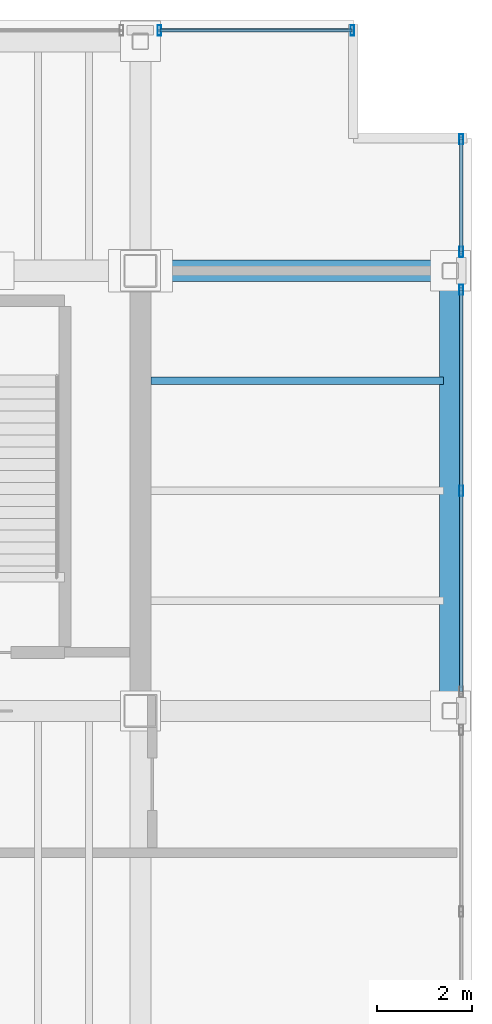
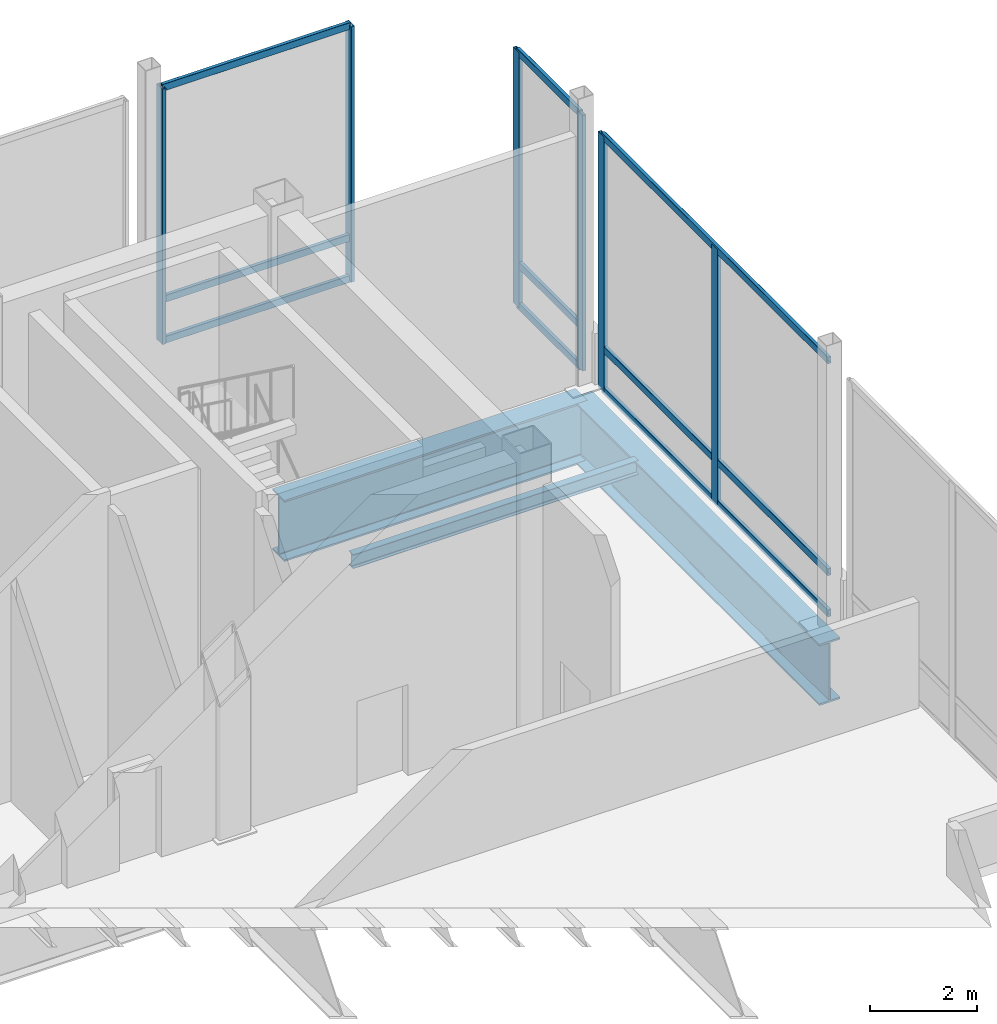
# One storey, part 15 of 19: 15 members, 3 beams, 3 elements without a shape of their own.
"""IFC4 building model written with IfcOpenShell, lengths in metres."""

from ifc_helpers import new_model, si_unit, direction, frame, origin, origin_2d, place, context, subcontext, project, spatial, hollow_rectangle, i_section, extrude, material, material_profile, profile_set, type_object, element, aggregate, save


model = new_model("IFC4")

# Units and contexts
model_context = context("Model", 3, precision=1e-05, world=origin(), true_north=direction((0.0, 1.0)))
body_context = subcontext(model_context, "Body", "Model", "MODEL_VIEW")
ifc_project = project(units=[si_unit("LENGTHUNIT", "METRE"), si_unit("AREAUNIT", "SQUARE_METRE"), si_unit("VOLUMEUNIT", "CUBIC_METRE"), si_unit("PLANEANGLEUNIT", "RADIAN"), si_unit("MASSUNIT", "GRAM", prefix="KILO")], contexts=[model_context])

# Site, building, storey
site_placement = place(None, origin())
site = spatial("IfcSite", under=ifc_project, at=site_placement, CompositionType="ELEMENT")
building_placement = place(site_placement, origin())
building = spatial("IfcBuilding", under=site, at=building_placement, Name="Noeulbin Bourse Tower", CompositionType="ELEMENT")
storey_placement = place(building_placement, frame((0.0, 0.0, 306.0)))
storey = spatial("IfcBuildingStorey", under=building, at=storey_placement, Name="L76", CompositionType="ELEMENT", Elevation=306.0)

# Beams
ifc_material_1 = material(Name="Steel S355", Category="steel")
ifc_material_profile_1 = material_profile(ifc_material_1, i_section(OverallWidth=0.159912109375, OverallDepth=0.320068359375, WebThickness=0.006591796875, FlangeThickness=0.010009765625, FilletRadius=0.012939453125, at=origin_2d()), Name="H-320x160x6.5x10", Category="LoadBearing")
ifc_profile_set_1 = profile_set([ifc_material_profile_1], Name="Steel S355")
beam_type_1 = type_object("IfcBeamType", Name="BM-JST-320", PredefinedType="JOIST", material=ifc_profile_set_1)
beam_1_placement = place(storey_placement, frame((44.22509765625, 35.97509765625, -0.4599609375), z_axis=(1.0, 0.0, 0.0), x_axis=(0.0, 1.0, 0.0)))
element("IfcBeam", 1, at=beam_1_placement, inside=storey, type_object=beam_type_1, Name="Wing Composite Joist L76-E33", PredefinedType="JOIST", context=body_context, shape_type="SweptSolid", body=[
    extrude(i_section(OverallWidth=0.159912109375, OverallDepth=0.320068359375, WebThickness=0.006591796875, FlangeThickness=0.010009765625, FilletRadius=0.012939453125, at=origin_2d()), origin(), (0.0, 0.0, 1.0), 6.1748046875),
])
ifc_material_2 = material(Name="Steel S460", Category="steel")
ifc_material_profile_2 = material_profile(ifc_material_2, i_section(OverallWidth=0.449951171875, OverallDepth=1.39990234375, WebThickness=0.02392578125, FlangeThickness=0.0400390625, FilletRadius=0.02392578125, at=origin_2d()), Name="PG-1400x450x24x40", Category="LoadBearing")
ifc_profile_set_2 = profile_set([ifc_material_profile_2], Name="Steel S460")
beam_type_2 = type_object("IfcBeamType", Name="BM-TRF-1400", PredefinedType="USERDEFINED", material=ifc_profile_set_2)
beam_2_placement = place(storey_placement, frame((44.0, 38.300048828125, -1.0), z_axis=(1.0, 0.0, 0.0), x_axis=(0.0, 1.0, 0.0)))
element("IfcBeam", 2, at=beam_2_placement, inside=storey, type_object=beam_type_2, Name="Tower Primary Girder EW L76-3.4", ObjectType="GIRDER", PredefinedType="USERDEFINED", context=body_context, shape_type="SweptSolid", body=[
    extrude(i_section(OverallWidth=0.449951171875, OverallDepth=1.39990234375, WebThickness=0.02392578125, FlangeThickness=0.0400390625, FilletRadius=0.02392578125, at=origin_2d()), origin(), (0.0, 0.0, 1.0), 6.550048828125),
])
beam_3_placement = place(storey_placement, frame((50.550048828125, 29.0, -1.0), z_axis=(0.0, 1.0, 0.0), x_axis=(-1.0, 0.0, 0.0)))
element("IfcBeam", 3, at=beam_3_placement, inside=storey, type_object=beam_type_2, Name="East Spandrel L76-1", ObjectType="GIRDER", PredefinedType="USERDEFINED", context=body_context, shape_type="SweptSolid", body=[
    extrude(i_section(OverallWidth=0.449951171875, OverallDepth=1.39990234375, WebThickness=0.02392578125, FlangeThickness=0.0400390625, FilletRadius=0.02392578125, at=origin_2d()), origin(), (0.0, 0.0, 1.0), 9.300048828125),
])

# Curtain wall, members
ifc_material_3 = material(Name="Translucent Ceramic-Fritted Glass", Category="glass")
curtain_wall_type = type_object("IfcCurtainWallType", Name="CW-SYS-5", PredefinedType="NOTDEFINED", material=ifc_material_3)
curtain_wall_1_placement = place(storey_placement, origin())
curtain_wall_1 = element("IfcCurtainWall", 4, at=curtain_wall_1_placement, inside=storey, type_object=curtain_wall_type, Name="Unitised Curtain Wall CW-L76-N-S5", PredefinedType="NOTDEFINED")
ifc_material_4 = material(Name="Anodised Aluminium 6063-T6", Category="aluminium")
ifc_material_profile_3 = material_profile(ifc_material_4, hollow_rectangle(XDim=0.074951171875, YDim=0.219970703125, WallThickness=0.0048828125, InnerFilletRadius=0.00244140625, OuterFilletRadius=0.0048828125, at=origin_2d()), Name="ALU-MULL-75x220x5", Category="LoadBearing")
ifc_profile_set_3 = profile_set([ifc_material_profile_3], Name="Anodised Aluminium 6063-T6")
member_type_1 = type_object("IfcMemberType", Name="CW-SYS-5-MUL", PredefinedType="MULLION", material=ifc_profile_set_3)
member_1_placement = place(storey_placement, frame((44.39990234375, 43.3798828125, -0.02001953125), z_axis=(0.0, 0.0, 1.0), x_axis=(1.0, 0.0, 0.0)))
member_1 = element("IfcMember", 5, at=member_1_placement, type_object=member_type_1, Name="Curtain Wall Mullion CW-L76-N-S5-M00", PredefinedType="MULLION", context=body_context, shape_type="SweptSolid", body=[
    extrude(hollow_rectangle(XDim=0.074951171875, YDim=0.219970703125, WallThickness=0.0048828125, InnerFilletRadius=0.00244140625, OuterFilletRadius=0.0048828125, at=origin_2d()), origin(), (0.0, 0.0, 1.0), 5.840087890625),
])
member_2_placement = place(storey_placement, frame((48.47998046875, 43.3798828125, -0.02001953125), z_axis=(0.0, 0.0, 1.0), x_axis=(1.0, 0.0, 0.0)))
member_2 = element("IfcMember", 6, at=member_2_placement, type_object=member_type_1, Name="Curtain Wall Mullion CW-L76-N-S5-M01", PredefinedType="MULLION", context=body_context, shape_type="SweptSolid", body=[
    extrude(hollow_rectangle(XDim=0.074951171875, YDim=0.219970703125, WallThickness=0.0048828125, InnerFilletRadius=0.00244140625, OuterFilletRadius=0.0048828125, at=origin_2d()), origin(), (0.0, 0.0, 1.0), 5.840087890625),
])

curtain_wall_2_placement = place(storey_placement, origin())
curtain_wall_2 = element("IfcCurtainWall", 7, at=curtain_wall_2_placement, inside=storey, type_object=curtain_wall_type, Name="Unitised Curtain Wall CW-L76-E-S2", PredefinedType="NOTDEFINED")
member_3_placement = place(storey_placement, frame((50.780029296875, 33.64990234375, -0.02001953125), z_axis=(0.0, 0.0, 1.0), x_axis=(1.0, 0.0, 0.0)))
member_3 = element("IfcMember", 8, at=member_3_placement, type_object=member_type_1, Name="Curtain Wall Mullion CW-L76-E-S2-M01", PredefinedType="MULLION", context=body_context, shape_type="SweptSolid", body=[
    extrude(hollow_rectangle(XDim=0.074951171875, YDim=0.219970703125, WallThickness=0.0048828125, InnerFilletRadius=0.00244140625, OuterFilletRadius=0.0048828125, at=origin_2d()), origin(), (0.0, 0.0, 1.0), 5.840087890625),
])
member_4_placement = place(storey_placement, frame((50.780029296875, 37.89990234375, -0.02001953125), z_axis=(0.0, 0.0, 1.0), x_axis=(1.0, 0.0, 0.0)))
member_4 = element("IfcMember", 9, at=member_4_placement, type_object=member_type_1, Name="Curtain Wall Mullion CW-L76-E-S2-M02", PredefinedType="MULLION", context=body_context, shape_type="SweptSolid", body=[
    extrude(hollow_rectangle(XDim=0.074951171875, YDim=0.219970703125, WallThickness=0.0048828125, InnerFilletRadius=0.00244140625, OuterFilletRadius=0.0048828125, at=origin_2d()), origin(), (0.0, 0.0, 1.0), 5.840087890625),
])

curtain_wall_3_placement = place(storey_placement, origin())
curtain_wall_3 = element("IfcCurtainWall", 10, at=curtain_wall_3_placement, inside=storey, type_object=curtain_wall_type, Name="Unitised Curtain Wall CW-L76-E-S3", PredefinedType="NOTDEFINED")
member_5_placement = place(storey_placement, frame((50.780029296875, 38.699951171875, -0.02001953125), z_axis=(0.0, 0.0, 1.0), x_axis=(1.0, 0.0, 0.0)))
member_5 = element("IfcMember", 11, at=member_5_placement, type_object=member_type_1, Name="Curtain Wall Mullion CW-L76-E-S3-M00", PredefinedType="MULLION", context=body_context, shape_type="SweptSolid", body=[
    extrude(hollow_rectangle(XDim=0.074951171875, YDim=0.219970703125, WallThickness=0.0048828125, InnerFilletRadius=0.00244140625, OuterFilletRadius=0.0048828125, at=origin_2d()), origin(), (0.0, 0.0, 1.0), 5.840087890625),
])
member_6_placement = place(storey_placement, frame((50.780029296875, 41.080078125, -0.02001953125), z_axis=(0.0, 0.0, 1.0), x_axis=(1.0, 0.0, 0.0)))
member_6 = element("IfcMember", 12, at=member_6_placement, type_object=member_type_1, Name="Curtain Wall Mullion CW-L76-E-S3-M01", PredefinedType="MULLION", context=body_context, shape_type="SweptSolid", body=[
    extrude(hollow_rectangle(XDim=0.074951171875, YDim=0.219970703125, WallThickness=0.0048828125, InnerFilletRadius=0.00244140625, OuterFilletRadius=0.0048828125, at=origin_2d()), origin(), (0.0, 0.0, 1.0), 5.840087890625),
])

# Member
ifc_material_profile_4 = material_profile(ifc_material_4, hollow_rectangle(XDim=0.074951171875, YDim=0.159912109375, WallThickness=0.0048828125, InnerFilletRadius=0.00244140625, OuterFilletRadius=0.0048828125, at=origin_2d()), Name="ALU-TRAN-75x160x5", Category="LoadBearing")
ifc_profile_set_4 = profile_set([ifc_material_profile_4], Name="Anodised Aluminium 6063-T6")
member_type_2 = type_object("IfcMemberType", Name="CW-SYS-5-TRN", PredefinedType="USERDEFINED", material=ifc_profile_set_4)
member_7_placement = place(storey_placement, frame((44.409912109375, 43.3798828125, 0.010009765625), z_axis=(1.0, 0.0, 0.0), x_axis=(0.0, 1.0, 0.0)))
member_7 = element("IfcMember", 13, at=member_7_placement, type_object=member_type_2, Name="Curtain Wall Transom CW-L76-N-S5-T00", ObjectType="TRANSOM", PredefinedType="USERDEFINED", context=body_context, shape_type="SweptSolid", body=[
    extrude(hollow_rectangle(XDim=0.074951171875, YDim=0.159912109375, WallThickness=0.0048828125, InnerFilletRadius=0.00244140625, OuterFilletRadius=0.0048828125, at=origin_2d()), origin(), (0.0, 0.0, 1.0), 4.06005859375),
])

member_8_placement = place(storey_placement, frame((44.409912109375, 43.3798828125, 0.949951171875), z_axis=(1.0, 0.0, 0.0), x_axis=(0.0, 1.0, 0.0)))
member_8 = element("IfcMember", 14, at=member_8_placement, type_object=member_type_2, Name="Curtain Wall Transom CW-L76-N-S5-T01", ObjectType="TRANSOM", PredefinedType="USERDEFINED", context=body_context, shape_type="SweptSolid", body=[
    extrude(hollow_rectangle(XDim=0.074951171875, YDim=0.159912109375, WallThickness=0.0048828125, InnerFilletRadius=0.00244140625, OuterFilletRadius=0.0048828125, at=origin_2d()), origin(), (0.0, 0.0, 1.0), 4.06005859375),
])

member_9_placement = place(storey_placement, frame((44.409912109375, 43.3798828125, 5.7900390625), z_axis=(1.0, 0.0, 0.0), x_axis=(0.0, 1.0, 0.0)))
member_9 = element("IfcMember", 15, at=member_9_placement, type_object=member_type_2, Name="Curtain Wall Transom CW-L76-N-S5-T02", ObjectType="TRANSOM", PredefinedType="USERDEFINED", context=body_context, shape_type="SweptSolid", body=[
    extrude(hollow_rectangle(XDim=0.074951171875, YDim=0.159912109375, WallThickness=0.0048828125, InnerFilletRadius=0.00244140625, OuterFilletRadius=0.0048828125, at=origin_2d()), origin(), (0.0, 0.0, 1.0), 4.06005859375),
])

aggregate(curtain_wall_1, [member_1, member_2, member_7, member_8, member_9])

member_10_placement = place(storey_placement, frame((50.780029296875, 29.409912109375, 0.010009765625), z_axis=(0.0, 1.0, 0.0), x_axis=(-1.0, 0.0, 0.0)))
member_10 = element("IfcMember", 16, at=member_10_placement, type_object=member_type_2, Name="Curtain Wall Transom CW-L76-E-S2-T00", ObjectType="TRANSOM", PredefinedType="USERDEFINED", context=body_context, shape_type="SweptSolid", body=[
    extrude(hollow_rectangle(XDim=0.074951171875, YDim=0.159912109375, WallThickness=0.0048828125, InnerFilletRadius=0.00244140625, OuterFilletRadius=0.0048828125, at=origin_2d()), origin(), (0.0, 0.0, 1.0), 8.47998046875),
])

member_11_placement = place(storey_placement, frame((50.780029296875, 29.409912109375, 0.949951171875), z_axis=(0.0, 1.0, 0.0), x_axis=(-1.0, 0.0, 0.0)))
member_11 = element("IfcMember", 17, at=member_11_placement, type_object=member_type_2, Name="Curtain Wall Transom CW-L76-E-S2-T01", ObjectType="TRANSOM", PredefinedType="USERDEFINED", context=body_context, shape_type="SweptSolid", body=[
    extrude(hollow_rectangle(XDim=0.074951171875, YDim=0.159912109375, WallThickness=0.0048828125, InnerFilletRadius=0.00244140625, OuterFilletRadius=0.0048828125, at=origin_2d()), origin(), (0.0, 0.0, 1.0), 8.47998046875),
])

member_12_placement = place(storey_placement, frame((50.780029296875, 29.409912109375, 5.7900390625), z_axis=(0.0, 1.0, 0.0), x_axis=(-1.0, 0.0, 0.0)))
member_12 = element("IfcMember", 18, at=member_12_placement, type_object=member_type_2, Name="Curtain Wall Transom CW-L76-E-S2-T02", ObjectType="TRANSOM", PredefinedType="USERDEFINED", context=body_context, shape_type="SweptSolid", body=[
    extrude(hollow_rectangle(XDim=0.074951171875, YDim=0.159912109375, WallThickness=0.0048828125, InnerFilletRadius=0.00244140625, OuterFilletRadius=0.0048828125, at=origin_2d()), origin(), (0.0, 0.0, 1.0), 8.47998046875),
])

aggregate(curtain_wall_2, [member_3, member_4, member_10, member_11, member_12])

member_13_placement = place(storey_placement, frame((50.780029296875, 38.7099609375, 0.010009765625), z_axis=(0.0, 1.0, 0.0), x_axis=(-1.0, 0.0, 0.0)))
member_13 = element("IfcMember", 19, at=member_13_placement, type_object=member_type_2, Name="Curtain Wall Transom CW-L76-E-S3-T00", ObjectType="TRANSOM", PredefinedType="USERDEFINED", context=body_context, shape_type="SweptSolid", body=[
    extrude(hollow_rectangle(XDim=0.074951171875, YDim=0.159912109375, WallThickness=0.0048828125, InnerFilletRadius=0.00244140625, OuterFilletRadius=0.0048828125, at=origin_2d()), origin(), (0.0, 0.0, 1.0), 2.360107421875),
])

member_14_placement = place(storey_placement, frame((50.780029296875, 38.7099609375, 0.949951171875), z_axis=(0.0, 1.0, 0.0), x_axis=(-1.0, 0.0, 0.0)))
member_14 = element("IfcMember", 20, at=member_14_placement, type_object=member_type_2, Name="Curtain Wall Transom CW-L76-E-S3-T01", ObjectType="TRANSOM", PredefinedType="USERDEFINED", context=body_context, shape_type="SweptSolid", body=[
    extrude(hollow_rectangle(XDim=0.074951171875, YDim=0.159912109375, WallThickness=0.0048828125, InnerFilletRadius=0.00244140625, OuterFilletRadius=0.0048828125, at=origin_2d()), origin(), (0.0, 0.0, 1.0), 2.360107421875),
])

member_15_placement = place(storey_placement, frame((50.780029296875, 38.7099609375, 5.7900390625), z_axis=(0.0, 1.0, 0.0), x_axis=(-1.0, 0.0, 0.0)))
member_15 = element("IfcMember", 21, at=member_15_placement, type_object=member_type_2, Name="Curtain Wall Transom CW-L76-E-S3-T02", ObjectType="TRANSOM", PredefinedType="USERDEFINED", context=body_context, shape_type="SweptSolid", body=[
    extrude(hollow_rectangle(XDim=0.074951171875, YDim=0.159912109375, WallThickness=0.0048828125, InnerFilletRadius=0.00244140625, OuterFilletRadius=0.0048828125, at=origin_2d()), origin(), (0.0, 0.0, 1.0), 2.360107421875),
])

aggregate(curtain_wall_3, [member_5, member_6, member_13, member_14, member_15])

save(model, "model.ifc")
